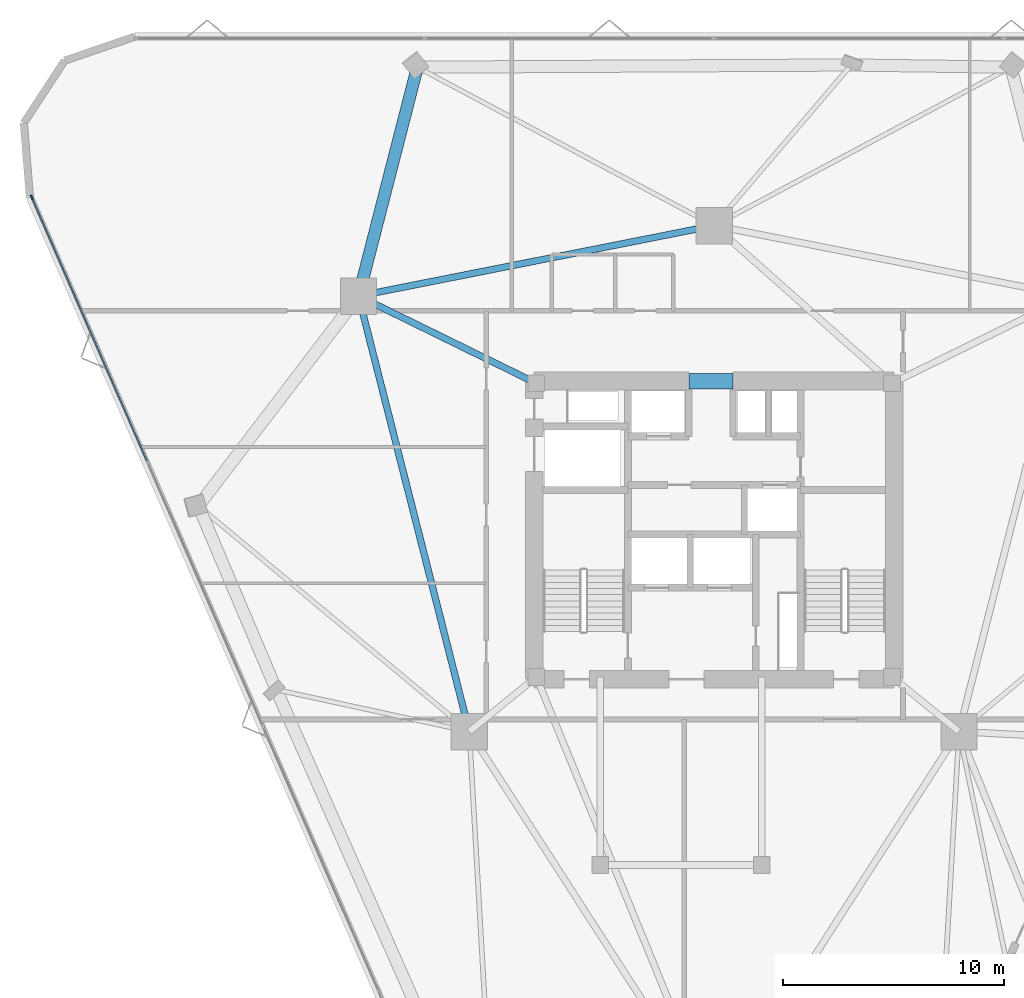
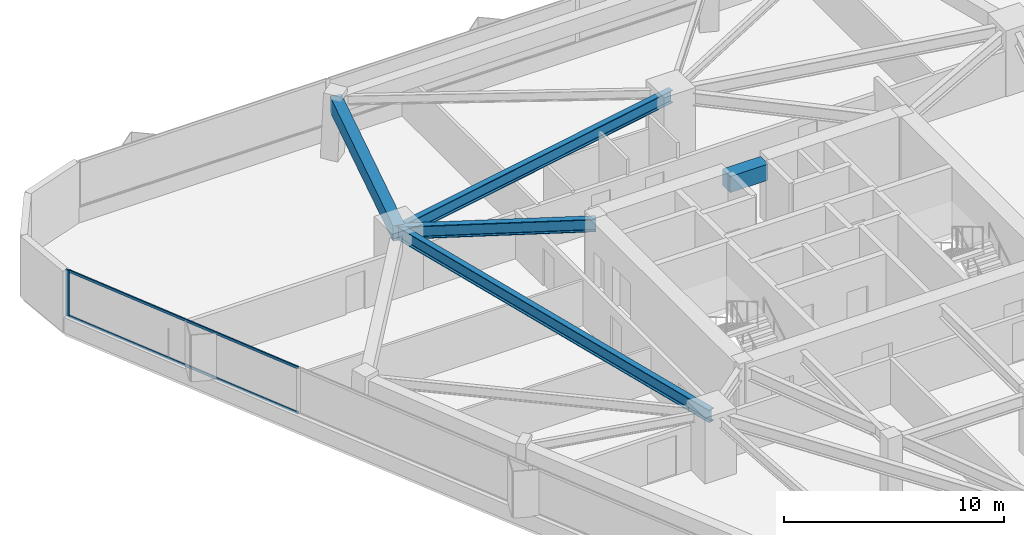
# One storey, part 5 of 14: 5 beams, 3 members, 1 element without a shape of its own.
"""IFC4 building model written with IfcOpenShell, lengths in metres."""

from ifc_helpers import new_model, si_unit, direction, frame, origin, origin_2d, place, context, subcontext, project, spatial, rectangle, i_section, extrude, material, layer, layer_set, material_profile, profile_set, type_object, element, aggregate, save


model = new_model("IFC4")

# Units and contexts
model_context = context("Model", 3, precision=1e-05, world=origin(), true_north=direction((0.0, 1.0)))
body_context = subcontext(model_context, "Body", "Model", "MODEL_VIEW")
ifc_project = project(units=[si_unit("LENGTHUNIT", "METRE"), si_unit("AREAUNIT", "SQUARE_METRE"), si_unit("VOLUMEUNIT", "CUBIC_METRE"), si_unit("PLANEANGLEUNIT", "RADIAN"), si_unit("MASSUNIT", "GRAM", prefix="KILO")], contexts=[model_context])

# Site, building, storey
site_placement = place(None, origin())
site = spatial("IfcSite", under=ifc_project, at=site_placement, CompositionType="ELEMENT")
building_placement = place(site_placement, origin())
building = spatial("IfcBuilding", under=site, at=building_placement, Name="Talyreon Biosciences Tower", CompositionType="ELEMENT")
storey_placement = place(building_placement, frame((0.0, 0.0, 96.89990234375)))
storey = spatial("IfcBuildingStorey", under=building, at=storey_placement, Name="L25", CompositionType="ELEMENT", Elevation=96.89990234375)

# Curtain wall, members
ifc_material_1 = material(Name="Thermally broken aluminium and low-E glazing", Category="aluminium")
ifc_layer = layer(ifc_material_1, 0.205078125)
ifc_layer_set = layer_set([ifc_layer], Name="Thermally broken aluminium and low-E glazing")
curtain_wall_type = type_object("IfcCurtainWallType", Name="CurtainWall_SkyGardenLoggia", PredefinedType="NOTDEFINED", material=ifc_layer_set)
curtain_wall_placement = place(storey_placement, origin())
curtain_wall = element("IfcCurtainWall", 1, at=curtain_wall_placement, inside=storey, type_object=curtain_wall_type, Name="L25 Unitised Curtain Wall FCW-L25-15", PredefinedType="NOTDEFINED")
ifc_material_2 = material(Name="Anodised thermally broken aluminium", Category="aluminium")
ifc_material_profile_1 = material_profile(ifc_material_2, rectangle(XDim=0.074951171875, YDim=0.2099609375, at=origin_2d()), Name="ALUM MULLION 75x210")
ifc_profile_set_1 = profile_set([ifc_material_profile_1], Name="Anodised thermally broken aluminium")
member_type_1 = type_object("IfcMemberType", Name="CWMullion_75x210", PredefinedType="MULLION", material=ifc_profile_set_1)
member_1_placement = place(storey_placement, frame((35.1044921875, 83.068359375, 0.81005859375), z_axis=(0.0, 0.0, 1.0), x_axis=(-0.916278218967, -0.400542414041, 0.0)))
member_1 = element("IfcMember", 2, at=member_1_placement, type_object=member_type_1, Name="CW7 mullion 6", PredefinedType="MULLION", context=body_context, shape_type="SweptSolid", body=[
    extrude(rectangle(XDim=0.074951171875, YDim=0.2099609375, at=origin_2d()), origin(), (0.0, 0.0, 1.0), 2.56494140625),
])
ifc_material_profile_2 = material_profile(ifc_material_2, rectangle(XDim=0.06494140625, YDim=0.139892578125, at=origin_2d()), Name="ALUM TRANSOM 65x140")
ifc_profile_set_2 = profile_set([ifc_material_profile_2], Name="Anodised thermally broken aluminium")
member_type_2 = type_object("IfcMemberType", Name="CWTransom_65x140", PredefinedType="USERDEFINED", material=ifc_profile_set_2)
member_2_placement = place(storey_placement, frame((40.318359375, 71.14111328125, 0.842529296875), z_axis=(-0.400551411618, 0.916274285708, 0.0), x_axis=(-0.916274285708, -0.400551411618, 0.0)))
member_2 = element("IfcMember", 3, at=member_2_placement, type_object=member_type_2, Name="CW7 transom 5.1", ObjectType="TRANSOM", PredefinedType="USERDEFINED", context=body_context, shape_type="SweptSolid", body=[
    extrude(rectangle(XDim=0.06494140625, YDim=0.139892578125, at=origin_2d()), origin(), (0.0, 0.0, 1.0), 12.9794921875),
])
member_3_placement = place(storey_placement, frame((40.318359375, 71.14111328125, 3.342529296875), z_axis=(-0.400551411618, 0.916274285708, 0.0), x_axis=(-0.916274285708, -0.400551411618, 0.0)))
member_3 = element("IfcMember", 4, at=member_3_placement, type_object=member_type_2, Name="CW7 transom 5.2", ObjectType="TRANSOM", PredefinedType="USERDEFINED", context=body_context, shape_type="SweptSolid", body=[
    extrude(rectangle(XDim=0.06494140625, YDim=0.139892578125, at=origin_2d()), origin(), (0.0, 0.0, 1.0), 12.9794921875),
])
aggregate(curtain_wall, [member_1, member_2, member_3])

# Beams
ifc_material_3 = material(Name="Concrete C60/75", Category="concrete")
ifc_material_profile_3 = material_profile(ifc_material_3, rectangle(XDim=0.699951171875, YDim=0.89990234375, at=origin_2d()), Name="RCB 700x900")
ifc_profile_set_3 = profile_set([ifc_material_profile_3], Name="Concrete C60/75")
beam_type_1 = type_object("IfcBeamType", Name="CoreCouplingLintel_700x900", PredefinedType="LINTEL", material=ifc_profile_set_3)
beam_1_placement = place(storey_placement, frame((64.85009765625, 74.75, 2.925048828125), z_axis=(1.0, 0.0, 0.0), x_axis=(0.0, 1.0, 0.0)))
element("IfcBeam", 5, at=beam_1_placement, inside=storey, type_object=beam_type_1, Name="L25 Core Coupling Lintel", PredefinedType="LINTEL", context=body_context, shape_type="SweptSolid", body=[
    extrude(rectangle(XDim=0.699951171875, YDim=0.89990234375, at=origin_2d()), origin(), (0.0, 0.0, 1.0), 2.0),
])
ifc_material_4 = material(Name="Precast concrete C45/55", Category="concrete")
ifc_material_profile_4 = material_profile(ifc_material_4, rectangle(XDim=0.550048828125, YDim=0.85009765625, at=origin_2d()), Name="RCB 550x850")
ifc_profile_set_4 = profile_set([ifc_material_profile_4], Name="Precast concrete C45/55")
beam_type_2 = type_object("IfcBeamType", Name="ExpressedSpandrel_550x850", PredefinedType="SPANDREL", material=ifc_profile_set_4)
beam_2_placement = place(storey_placement, frame((52.56201171875, 88.958984375, 2.9501953125), z_axis=(-0.249060000115, -0.968488056892, 0.0), x_axis=(0.968488056892, -0.249060000115, 0.0)))
element("IfcBeam", 6, at=beam_2_placement, inside=storey, type_object=beam_type_2, Name="L25 Expressed Horizontal Concrete Spandrel 08", PredefinedType="SPANDREL", context=body_context, shape_type="SweptSolid", body=[
    extrude(rectangle(XDim=0.550048828125, YDim=0.85009765625, at=origin_2d()), origin(), (0.0, 0.0, 1.0), 10.697509765625),
])
ifc_material_5 = material(Name="Steel SM355", Category="steel")
ifc_material_profile_5 = material_profile(ifc_material_5, i_section(OverallWidth=0.300048828125, OverallDepth=0.699951171875, WebThickness=0.01708984375, FlangeThickness=0.031982421875, FilletRadius=0.027099609375, at=origin_2d()), Name="HE700B")
ifc_profile_set_5 = profile_set([ifc_material_profile_5], Name="Steel SM355")
beam_type_3 = type_object("IfcBeamType", Name="SteelGirder_HE700B", PredefinedType="BEAM", material=ifc_profile_set_5)
beam_3_placement = place(storey_placement, frame((66.0, 81.788818359375, 3.025146484375), z_axis=(-0.980933730698, -0.194342522311, 0.0), x_axis=(0.194342522311, -0.980933730698, 0.0)))
element("IfcBeam", 7, at=beam_3_placement, inside=storey, type_object=beam_type_3, Name="L25 Mega-Ring Girder 4", PredefinedType="BEAM", context=body_context, shape_type="SweptSolid", body=[
    extrude(i_section(OverallWidth=0.300048828125, OverallDepth=0.699951171875, WebThickness=0.01708984375, FlangeThickness=0.031982421875, FilletRadius=0.027099609375, at=origin_2d()), origin(), (0.0, 0.0, 1.0), 16.415283203125),
])
beam_4_placement = place(storey_placement, frame((49.897705078125, 78.5986328125, 3.025146484375), z_axis=(0.246537082299, -0.969133358755, 0.0), x_axis=(0.969133358755, 0.246537082299, 0.0)))
element("IfcBeam", 8, at=beam_4_placement, inside=storey, type_object=beam_type_3, Name="L25 Mega-Ring Girder 5", PredefinedType="BEAM", context=body_context, shape_type="SweptSolid", body=[
    extrude(i_section(OverallWidth=0.300048828125, OverallDepth=0.699951171875, WebThickness=0.01708984375, FlangeThickness=0.031982421875, FilletRadius=0.027099609375, at=origin_2d()), origin(), (0.0, 0.0, 1.0), 20.34619140625),
])
beam_5_placement = place(storey_placement, frame((57.949951171875, 74.64990234375, 3.025146484375), z_axis=(-0.897852360314, 0.440296648952, 0.0), x_axis=(-0.440296648952, -0.897852360314, 0.0)))
element("IfcBeam", 9, at=beam_5_placement, inside=storey, type_object=beam_type_3, Name="L25 Radial Primary Girder 5", PredefinedType="BEAM", context=body_context, shape_type="SweptSolid", body=[
    extrude(i_section(OverallWidth=0.300048828125, OverallDepth=0.699951171875, WebThickness=0.01708984375, FlangeThickness=0.031982421875, FilletRadius=0.027099609375, at=origin_2d()), origin(), (0.0, 0.0, 1.0), 8.96826171875),
])

save(model, "model.ifc")
